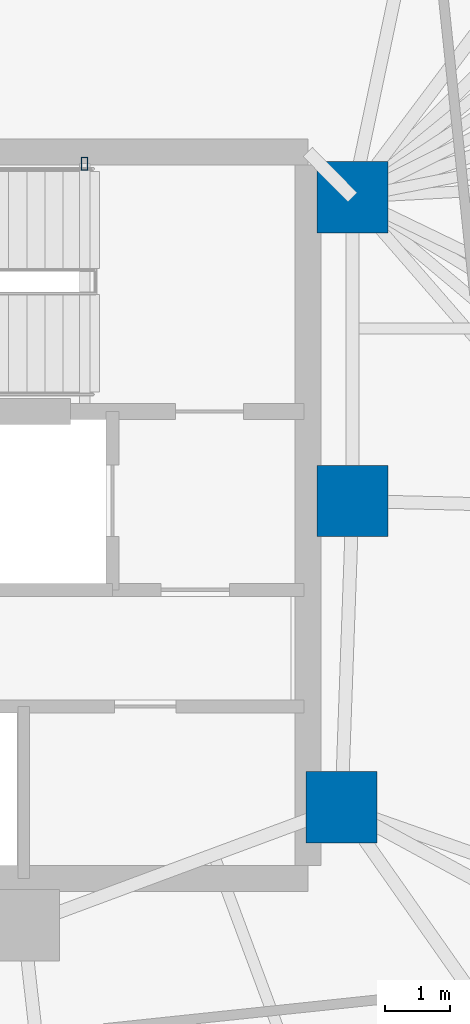
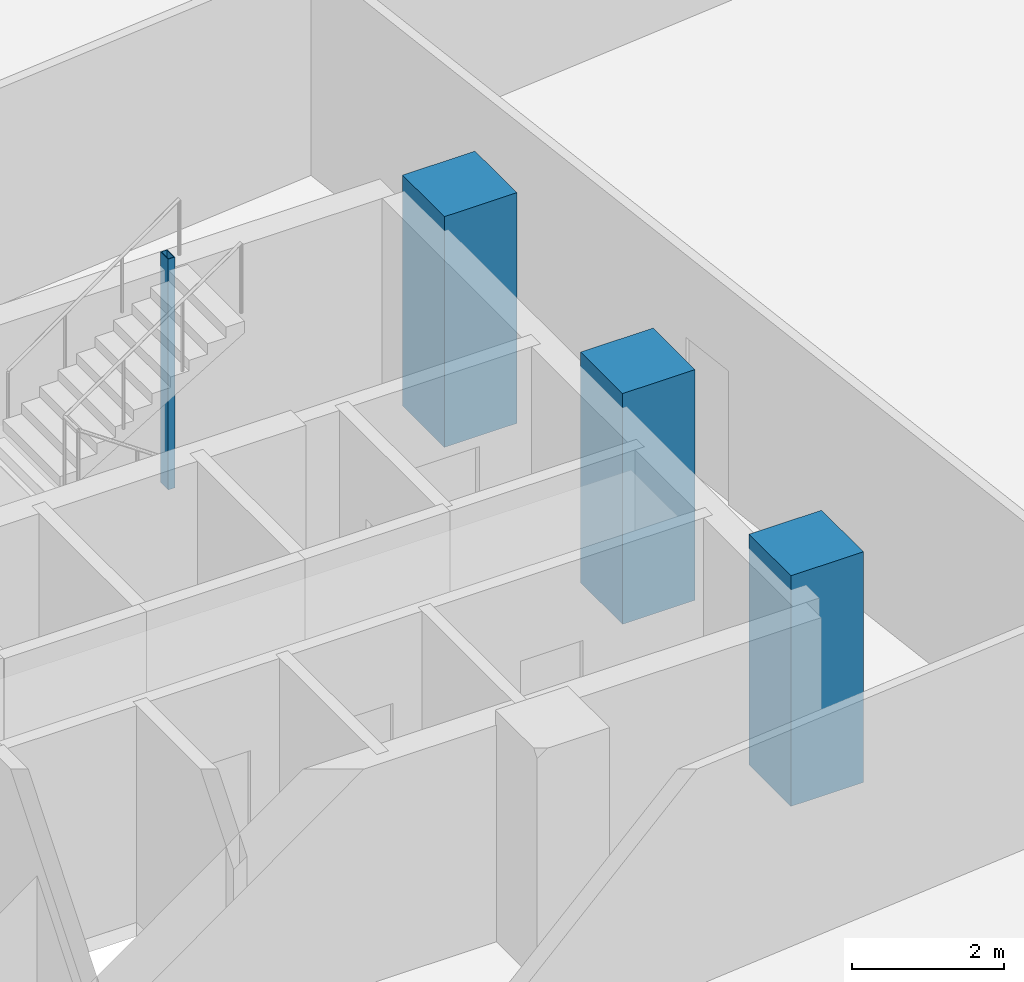
# One storey, part 4 of 17: 4 columns.
"""IFC4 building model written with IfcOpenShell, lengths in metres."""

from ifc_helpers import new_model, si_unit, direction, frame, origin, origin_2d, place, context, subcontext, project, spatial, rectangle, hollow_rectangle, extrude, material, material_profile, profile_set, type_object, element, save


model = new_model("IFC4")

# Units and contexts
model_context = context("Model", 3, precision=1e-05, world=origin(), true_north=direction((0.0, 1.0)))
body_context = subcontext(model_context, "Body", "Model", "MODEL_VIEW")
ifc_project = project(units=[si_unit("LENGTHUNIT", "METRE"), si_unit("AREAUNIT", "SQUARE_METRE"), si_unit("VOLUMEUNIT", "CUBIC_METRE"), si_unit("PLANEANGLEUNIT", "RADIAN"), si_unit("MASSUNIT", "GRAM", prefix="KILO")], contexts=[model_context])

# Site, building, storey
site_placement = place(None, origin())
site = spatial("IfcSite", under=ifc_project, at=site_placement, CompositionType="ELEMENT")
building_placement = place(site_placement, origin())
building = spatial("IfcBuilding", under=site, at=building_placement, Name="Menara Jurai Vektor", CompositionType="ELEMENT")
storey_placement = place(building_placement, frame((0.0, 0.0, 87.39990234375)))
storey = spatial("IfcBuildingStorey", under=building, at=storey_placement, Name="L21", CompositionType="ELEMENT", Elevation=87.39990234375)

# Columns
ifc_material_1 = material(Name="Concrete C50/60", Category="concrete")
ifc_material_profile_1 = material_profile(ifc_material_1, rectangle(XDim=1.10009765625, YDim=1.10009765625, at=origin_2d()), Name="RC 1100x1100")
ifc_profile_set_1 = profile_set([ifc_material_profile_1], Name="Concrete C50/60")
column_type_1 = type_object("IfcColumnType", Name="STR-COL-RC1100", PredefinedType="COLUMN", material=ifc_profile_set_1)
for number, where, z_axis, x_axis, name in (
    (1, (15.25, 4.89990234375, 0.0), (0.0, 0.0, 1.0), (1.0, 0.0, 0.0), "Core Spine Column CE-NE L21"),
    (2, (15.25, 0.219970703125, 0.0), (0.0, 0.0, 1.0), (1.0, 0.0, 0.0), "Core Spine Column CE-EM L21"),
    (3, (15.080078125, -4.5, 0.0), (0.0, 0.0, 1.0), (1.0, 0.0, 0.0), "Core Spine Column CE-SE L21"),
):
    element("IfcColumn", number, at=place(storey_placement, frame(where, z_axis=z_axis, x_axis=x_axis)), inside=storey, type_object=column_type_1, Name=name, PredefinedType="COLUMN", context=body_context, shape_type="SweptSolid", body=[
        extrude(rectangle(XDim=1.10009765625, YDim=1.10009765625, at=origin_2d()), origin(), (0.0, 0.0, 1.0), 3.7001953125),
    ])
ifc_material_2 = material(Name="Steel S355", Category="steel")
ifc_material_profile_2 = material_profile(ifc_material_2, hollow_rectangle(XDim=0.10009765625, YDim=0.199951171875, WallThickness=0.008056640625, at=origin_2d()), Name="RHS 200x100x8")
ifc_profile_set_2 = profile_set([ifc_material_profile_2], Name="Steel S355")
column_type_2 = type_object("IfcColumnType", Name="STR-COL-STAIR", PredefinedType="COLUMN", material=ifc_profile_set_2)
column_placement = place(storey_placement, frame((11.1201171875, 5.419921875, 0.0), z_axis=(0.0, 0.0, 1.0), x_axis=(1.0, 0.0, 0.0)))
element("IfcColumn", 4, at=column_placement, inside=storey, type_object=column_type_2, Name="Stair Well Header Column ST2-P2 L21", PredefinedType="COLUMN", context=body_context, shape_type="SweptSolid", body=[
    extrude(hollow_rectangle(XDim=0.10009765625, YDim=0.199951171875, WallThickness=0.008056640625, at=origin_2d()), origin(), (0.0, 0.0, 1.0), 3.7001953125),
])

save(model, "model.ifc")
